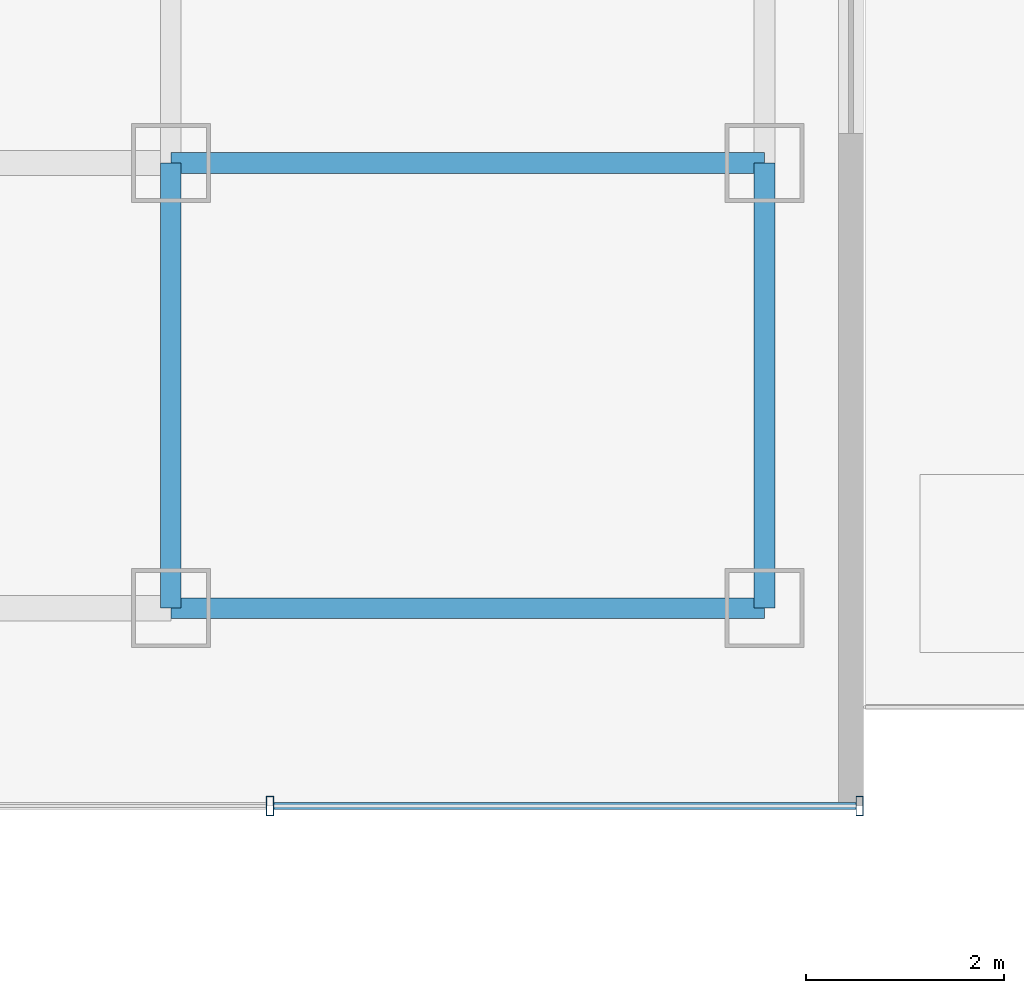
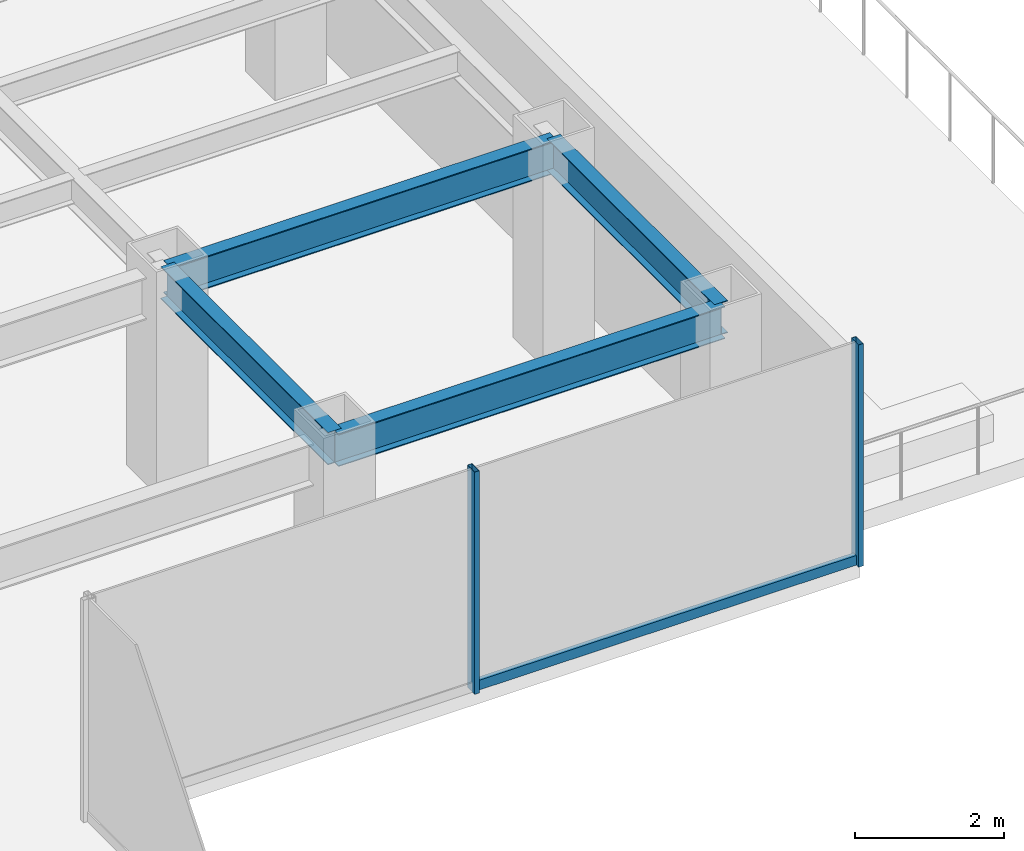
# One storey, part 10 of 25: 4 beams, 3 members, 1 element without a shape of its own.
"""IFC4 building model written with IfcOpenShell, lengths in metres."""

from ifc_helpers import new_model, si_unit, derived_unit, direction, frame, origin, origin_2d, place, context, subcontext, project, spatial, hollow_rectangle, i_section, extrude, source, transform, mapped, material, material_profile, profile_set, type_object, element, aggregate, save


model = new_model("IFC4")

# Units and contexts
model_context = context("Model", 3, precision=1e-05, world=origin(), true_north=direction((0.0, 1.0)))
body_context = subcontext(model_context, "Body", "Model", "MODEL_VIEW")
ifc_project = project(units=[si_unit("LENGTHUNIT", "METRE"), si_unit("AREAUNIT", "SQUARE_METRE"), si_unit("VOLUMEUNIT", "CUBIC_METRE"), si_unit("PLANEANGLEUNIT", "RADIAN"), si_unit("MASSUNIT", "GRAM", prefix="KILO"), derived_unit("THERMALTRANSMITTANCEUNIT", [(si_unit("POWERUNIT", "WATT"), 1), (si_unit("LENGTHUNIT", "METRE"), -2), (si_unit("THERMODYNAMICTEMPERATUREUNIT", "KELVIN"), -1)])], contexts=[model_context])

# Site, building, storey
site_placement = place(None, origin())
site = spatial("IfcSite", under=ifc_project, at=site_placement, CompositionType="ELEMENT")
building_placement = place(site_placement, origin())
building = spatial("IfcBuilding", under=site, at=building_placement, Name="Skarnbrae Concourse Arena and Tower", CompositionType="ELEMENT")
storey_placement = place(building_placement, frame((0.0, 0.0, 88.64990234375)))
storey = spatial("IfcBuildingStorey", under=building, at=storey_placement, Name="L21", CompositionType="ELEMENT", Elevation=88.64990234375)

# Beams
ifc_material_1 = material(Name="Steel CSA G40.21 350W", Category="steel")
ifc_material_profile_1 = material_profile(ifc_material_1, i_section(OverallWidth=0.208984375, OverallDepth=0.532958984375, WebThickness=0.01025390625, FlangeThickness=0.015625, at=origin_2d()), Name="W530X92")
ifc_profile_set_1 = profile_set([ifc_material_profile_1], Name="Steel CSA G40.21 350W")
beam_type = type_object("IfcBeamType", Name="BM-SPAN-W530X92", PredefinedType="SPANDREL", material=ifc_profile_set_1)
shared_shape_1 = source(origin(), body_context, "Body", "SweptSolid", [
    extrude(i_section(OverallWidth=0.208984375, OverallDepth=0.532958984375, WebThickness=0.01025390625, FlangeThickness=0.015625, at=origin_2d()), origin(), (0.0, 0.0, 1.0), 6.0),
])
for number, where, z_axis, x_axis, name in (
    (1, (49.0, 9.5, 3.133544921875), (1.0, 0.0, 0.0), (0.0, 1.0, 0.0), "L21 Perimeter spandrel Y9.5-3"),
    (2, (49.0, 14.0, 3.133544921875), (1.0, 0.0, 0.0), (0.0, 1.0, 0.0), "L21 Perimeter spandrel Y14.0-8"),
):
    element("IfcBeam", number, at=place(storey_placement, frame(where, z_axis=z_axis, x_axis=x_axis)), inside=storey, type_object=beam_type, Name=name, PredefinedType="SPANDREL", context=body_context, shape_type="MappedRepresentation", body=[
        mapped(shared_shape_1, transform((0.0, 0.0, 0.0))),
    ])
shared_shape_2 = source(origin(), body_context, "Body", "SweptSolid", [
    extrude(i_section(OverallWidth=0.208984375, OverallDepth=0.532958984375, WebThickness=0.01025390625, FlangeThickness=0.015625, at=origin_2d()), origin(), (0.0, 0.0, 1.0), 4.5),
])
for number, where, z_axis, x_axis, name in (
    (3, (49.0, 9.5, 3.133544921875), (0.0, 1.0, 0.0), (-1.0, 0.0, 0.0), "L21 Perimeter spandrel X49.0-1"),
    (4, (55.0, 9.5, 3.133544921875), (0.0, 1.0, 0.0), (-1.0, 0.0, 0.0), "L21 Perimeter spandrel X55.0-1"),
):
    element("IfcBeam", number, at=place(storey_placement, frame(where, z_axis=z_axis, x_axis=x_axis)), inside=storey, type_object=beam_type, Name=name, PredefinedType="SPANDREL", context=body_context, shape_type="MappedRepresentation", body=[
        mapped(shared_shape_2, transform((0.0, 0.0, 0.0))),
    ])

# Curtain wall, members
ifc_material_2 = material(Name="Bronze anodised aluminium 6063-T6", Category="aluminium")
curtain_wall_type = type_object("IfcCurtainWallType", Name="CW-SYS-04-MIDZONE", PredefinedType="USERDEFINED", material=ifc_material_2)
curtain_wall_placement = place(storey_placement, origin())
curtain_wall = element("IfcCurtainWall", 5, at=curtain_wall_placement, inside=storey, type_object=curtain_wall_type, Name="L21 Unitised curtain wall CW-L21-E03", ObjectType="UNITISED CURTAIN WALL", PredefinedType="USERDEFINED")
ifc_material_profile_2 = material_profile(ifc_material_2, hollow_rectangle(XDim=0.074951171875, YDim=0.195068359375, WallThickness=0.00439453125, at=origin_2d()), Name="ALU-MULL-75X195")
ifc_profile_set_2 = profile_set([ifc_material_profile_2], Name="Bronze anodised aluminium 6063-T6")
member_type_1 = type_object("IfcMemberType", Name="CWM-CW-04", PredefinedType="MULLION", material=ifc_profile_set_2)
shared_shape_3 = source(origin(), body_context, "Body", "SweptSolid", [
    extrude(hollow_rectangle(XDim=0.074951171875, YDim=0.195068359375, WallThickness=0.00439453125, at=origin_2d()), origin(), (0.0, 0.0, 1.0), 3.650146484375),
])
member_1_placement = place(storey_placement, frame((50.0, 7.5, 0.0), z_axis=(0.0, 0.0, 1.0), x_axis=(1.0, 0.0, 0.0)))
member_1 = element("IfcMember", 6, at=member_1_placement, type_object=member_type_1, Name="CW-L21-E03 Mullion 2", PredefinedType="MULLION", context=body_context, shape_type="MappedRepresentation", body=[
    mapped(shared_shape_3, transform((0.0, 0.0, 0.0))),
])
member_2_placement = place(storey_placement, frame((55.96240234375, 7.5, 0.0), z_axis=(0.0, 0.0, 1.0), x_axis=(1.0, 0.0, 0.0)))
member_2 = element("IfcMember", 7, at=member_2_placement, type_object=member_type_1, Name="CW-L21-E03 Mullion 3", PredefinedType="MULLION", context=body_context, shape_type="MappedRepresentation", body=[
    mapped(shared_shape_3, transform((0.0, 0.0, 0.0))),
])
ifc_material_profile_3 = material_profile(ifc_material_2, hollow_rectangle(XDim=0.074951171875, YDim=0.159912109375, WallThickness=0.00439453125, at=origin_2d()), Name="ALU-TRAN-75X160")
ifc_profile_set_3 = profile_set([ifc_material_profile_3], Name="Bronze anodised aluminium 6063-T6")
member_type_2 = type_object("IfcMemberType", Name="CWT-CW-04", PredefinedType="USERDEFINED", material=ifc_profile_set_3)
shared_shape_4 = source(origin(), body_context, "Body", "SweptSolid", [
    extrude(hollow_rectangle(XDim=0.074951171875, YDim=0.159912109375, WallThickness=0.00439453125, at=origin_2d()), origin(), (0.0, 0.0, 1.0), 5.887451171875),
])
member_3_placement = place(storey_placement, frame((50.03759765625, 7.5, 0.080078125), z_axis=(1.0, 0.0, 0.0), x_axis=(0.0, 1.0, 0.0)))
member_3 = element("IfcMember", 8, at=member_3_placement, type_object=member_type_2, Name="CW-L21-E03 Transom 2", ObjectType="TRANSOM", PredefinedType="USERDEFINED", context=body_context, shape_type="MappedRepresentation", body=[
    mapped(shared_shape_4, transform((0.0, 0.0, 0.0))),
])
aggregate(curtain_wall, [member_1, member_2, member_3])

save(model, "model.ifc")
